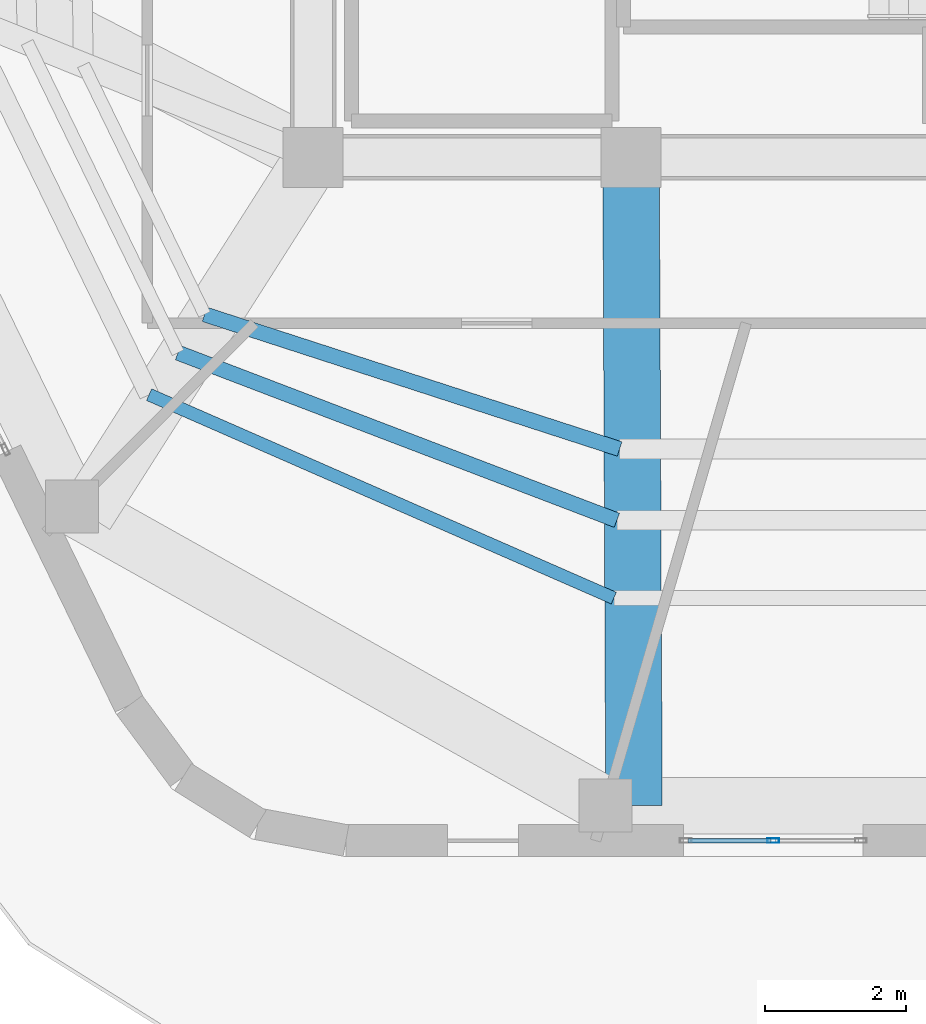
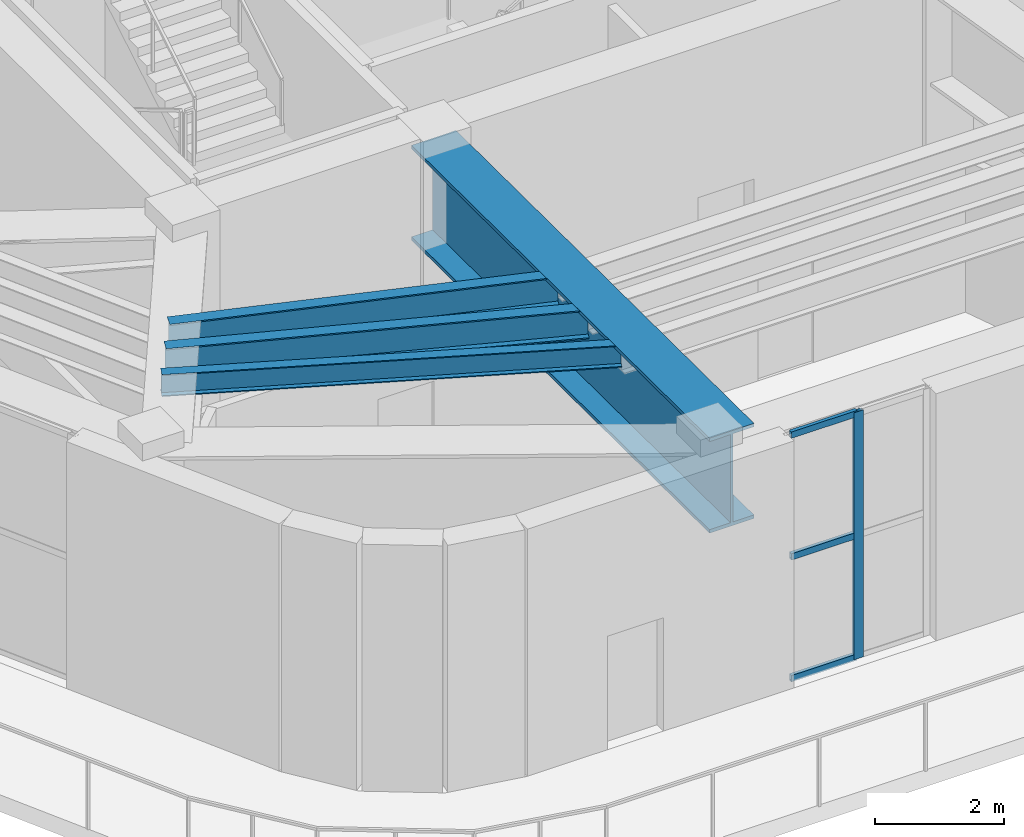
# One storey, part 3 of 24: 4 beams, 4 members, 1 element without a shape of its own.
"""IFC4 building model written with IfcOpenShell, lengths in metres."""

from ifc_helpers import new_model, si_unit, direction, frame, origin, origin_2d, place, context, subcontext, project, spatial, hollow_rectangle, i_section, extrude, material, layer, layer_set, material_profile, profile_set, type_object, element, aggregate, save


model = new_model("IFC4")

# Units and contexts
model_context = context("Model", 3, precision=1e-05, world=origin(), true_north=direction((0.0, 1.0)))
body_context = subcontext(model_context, "Body", "Model", "MODEL_VIEW")
ifc_project = project(units=[si_unit("LENGTHUNIT", "METRE"), si_unit("AREAUNIT", "SQUARE_METRE"), si_unit("VOLUMEUNIT", "CUBIC_METRE"), si_unit("PLANEANGLEUNIT", "RADIAN"), si_unit("MASSUNIT", "GRAM", prefix="KILO")], contexts=[model_context])

# Site, building, storey
site_placement = place(None, origin())
site = spatial("IfcSite", under=ifc_project, at=site_placement, CompositionType="ELEMENT")
building_placement = place(site_placement, origin())
building = spatial("IfcBuilding", under=site, at=building_placement, Name="Kilnhurst Terrace Hotel", CompositionType="ELEMENT")
storey_placement = place(building_placement, frame((0.0, 0.0, 305.39990234375)))
storey = spatial("IfcBuildingStorey", under=building, at=storey_placement, Name="L76", CompositionType="ELEMENT", Elevation=305.39990234375)

# Beams
ifc_material_1 = material(Name="Steel ASTM A992 Grade 50", Category="steel")
ifc_material_profile_1 = material_profile(ifc_material_1, i_section(OverallWidth=0.180908203125, OverallDepth=0.417236328125, WebThickness=0.010986328125, FlangeThickness=0.018310546875, at=origin_2d()), Name="W16X57")
ifc_profile_set_1 = profile_set([ifc_material_profile_1], Name="Steel ASTM A992 Grade 50")
beam_type_1 = type_object("IfcBeamType", Name="JST-STL-W16X57", PredefinedType="JOIST", material=ifc_profile_set_1)
beam_1_placement = place(storey_placement, frame((-11.32421875, -10.861083984375, 4.47119140625), z_axis=(0.916026239746, -0.401118346746, 0.0), x_axis=(0.401118346746, 0.916026239746, 0.0)))
element("IfcBeam", 1, at=beam_1_placement, inside=storey, type_object=beam_type_1, Name="L76 Secondary Floor Steel Joist OUT.12", PredefinedType="JOIST", context=body_context, shape_type="SweptSolid", body=[
    extrude(i_section(OverallWidth=0.180908203125, OverallDepth=0.417236328125, WebThickness=0.010986328125, FlangeThickness=0.018310546875, at=origin_2d()), origin(), (0.0, 0.0, 1.0), 7.183349609375),
])
ifc_material_profile_2 = material_profile(ifc_material_1, i_section(OverallWidth=0.2138671875, OverallDepth=0.549072265625, WebThickness=0.0146484375, FlangeThickness=0.023681640625, at=origin_2d()), Name="W21X93")
ifc_profile_set_2 = profile_set([ifc_material_profile_2], Name="Steel ASTM A992 Grade 50")
beam_type_2 = type_object("IfcBeamType", Name="JST-STL-W21X93", PredefinedType="JOIST", material=ifc_profile_set_2)
beam_2_placement = place(storey_placement, frame((-10.5380859375, -9.724365234375, 4.405029296875), z_axis=(0.951182065755, -0.308630325448, 0.0), x_axis=(0.308630325448, 0.951182065755, 0.0)))
element("IfcBeam", 2, at=beam_2_placement, inside=storey, type_object=beam_type_2, Name="L76 Secondary Floor Steel Joist IN.12", PredefinedType="JOIST", context=body_context, shape_type="SweptSolid", body=[
    extrude(i_section(OverallWidth=0.2138671875, OverallDepth=0.549072265625, WebThickness=0.0146484375, FlangeThickness=0.023681640625, at=origin_2d()), origin(), (0.0, 0.0, 1.0), 6.177978515625),
])
beam_3_placement = place(storey_placement, frame((-10.9140625, -10.26806640625, 4.405029296875), z_axis=(0.93419258405, -0.356769135305, 0.0), x_axis=(0.356769135305, 0.93419258405, 0.0)))
element("IfcBeam", 3, at=beam_3_placement, inside=storey, type_object=beam_type_2, Name="L76 Secondary Floor Steel Joist MID.12", PredefinedType="JOIST", context=body_context, shape_type="SweptSolid", body=[
    extrude(i_section(OverallWidth=0.2138671875, OverallDepth=0.549072265625, WebThickness=0.0146484375, FlangeThickness=0.023681640625, at=origin_2d()), origin(), (0.0, 0.0, 1.0), 6.65087890625),
])

# Curtain wall, members
ifc_material_2 = material(Name="Anodized Aluminium Alloy 6063-T6 and Low-E Glass", Category="aluminium")
ifc_layer = layer(ifc_material_2, 0.219970703125, Name="Anodized Aluminium Alloy 6063-T6 and Low-E Glass")
ifc_layer_set = layer_set([ifc_layer], Name="Anodized Aluminium Alloy 6063-T6 and Low-E Glass")
curtain_wall_type = type_object("IfcCurtainWallType", Name="CW-OBS-CROWN", PredefinedType="NOTDEFINED", material=ifc_layer_set)
curtain_wall_placement = place(storey_placement, origin())
curtain_wall = element("IfcCurtainWall", 4, at=curtain_wall_placement, inside=storey, type_object=curtain_wall_type, Name="L76 Curtain Wall CW-L76-F1-1", PredefinedType="NOTDEFINED")
ifc_material_3 = material(Name="Extruded Aluminium Alloy 6063-T6", Category="aluminium")
ifc_material_profile_3 = material_profile(ifc_material_3, hollow_rectangle(XDim=0.06494140625, YDim=0.1650390625, WallThickness=0.00341796875, at=origin_2d()), Name="CWM65X165")
ifc_profile_set_3 = profile_set([ifc_material_profile_3], Name="Extruded Aluminium Alloy 6063-T6")
member_type_1 = type_object("IfcMemberType", Name="MEM-CWM65X165", PredefinedType="MULLION", material=ifc_profile_set_3)
member_1_placement = place(storey_placement, frame((-2.48583984375, -17.175048828125, 0.0), z_axis=(0.0, 0.0, 1.0), x_axis=(0.0, 1.0, 0.0)))
member_1 = element("IfcMember", 5, at=member_1_placement, type_object=member_type_1, Name="CWO-6 mullion 2", PredefinedType="MULLION", context=body_context, shape_type="SweptSolid", body=[
    extrude(hollow_rectangle(XDim=0.06494140625, YDim=0.1650390625, WallThickness=0.00341796875, at=origin_2d()), origin(), (0.0, 0.0, 1.0), 4.68017578125),
])
ifc_material_profile_4 = material_profile(ifc_material_3, hollow_rectangle(XDim=0.06494140625, YDim=0.1201171875, WallThickness=0.00341796875, at=origin_2d()), Name="CWT65X120")
ifc_profile_set_4 = profile_set([ifc_material_profile_4], Name="Extruded Aluminium Alloy 6063-T6")
member_type_2 = type_object("IfcMemberType", Name="MEM-CWT65X120", PredefinedType="USERDEFINED", material=ifc_profile_set_4)
member_2_placement = place(storey_placement, frame((-3.69384765625, -17.175048828125, 0.03271484375), z_axis=(1.0, 0.0, 0.0), x_axis=(0.0, 1.0, 0.0)))
member_2 = element("IfcMember", 6, at=member_2_placement, type_object=member_type_2, Name="CWO-6 transom 1.1", ObjectType="TRANSOM", PredefinedType="USERDEFINED", context=body_context, shape_type="SweptSolid", body=[
    extrude(hollow_rectangle(XDim=0.06494140625, YDim=0.1201171875, WallThickness=0.00341796875, at=origin_2d()), origin(), (0.0, 0.0, 1.0), 1.175537109375),
])
member_3_placement = place(storey_placement, frame((-3.69384765625, -17.175048828125, 2.340087890625), z_axis=(1.0, 0.0, 0.0), x_axis=(0.0, 1.0, 0.0)))
member_3 = element("IfcMember", 7, at=member_3_placement, type_object=member_type_2, Name="CWO-6 transom 1.2", ObjectType="TRANSOM", PredefinedType="USERDEFINED", context=body_context, shape_type="SweptSolid", body=[
    extrude(hollow_rectangle(XDim=0.06494140625, YDim=0.1201171875, WallThickness=0.00341796875, at=origin_2d()), origin(), (0.0, 0.0, 1.0), 1.175537109375),
])
member_4_placement = place(storey_placement, frame((-3.69384765625, -17.175048828125, 4.647705078125), z_axis=(1.0, 0.0, 0.0), x_axis=(0.0, 1.0, 0.0)))
member_4 = element("IfcMember", 8, at=member_4_placement, type_object=member_type_2, Name="CWO-6 transom 1.3", ObjectType="TRANSOM", PredefinedType="USERDEFINED", context=body_context, shape_type="SweptSolid", body=[
    extrude(hollow_rectangle(XDim=0.06494140625, YDim=0.1201171875, WallThickness=0.00341796875, at=origin_2d()), origin(), (0.0, 0.0, 1.0), 1.175537109375),
])
aggregate(curtain_wall, [member_1, member_2, member_3, member_4])

# Beam
ifc_material_4 = material(Name="Steel ASTM A572 Grade 50", Category="steel")
ifc_material_profile_5 = material_profile(ifc_material_4, i_section(OverallWidth=0.800048828125, OverallDepth=1.800048828125, WebThickness=0.0400390625, FlangeThickness=0.06494140625, at=origin_2d()), Name="PG1800X800")
ifc_profile_set_5 = profile_set([ifc_material_profile_5], Name="Steel ASTM A572 Grade 50")
beam_type_3 = type_object("IfcBeamType", Name="TG-STEP-1800", PredefinedType="USERDEFINED", material=ifc_profile_set_5)
beam_4_placement = place(storey_placement, frame((-4.5, -7.5, 3.780029296875), z_axis=(0.004521110145, -0.999989779729, 0.0), x_axis=(0.999989779729, 0.004521110145, 0.0)))
element("IfcBeam", 9, at=beam_4_placement, inside=storey, type_object=beam_type_3, Name="L76 Zone Step Radial Transfer Girder 1", ObjectType="GIRDER", PredefinedType="USERDEFINED", context=body_context, shape_type="SweptSolid", body=[
    extrude(i_section(OverallWidth=0.800048828125, OverallDepth=1.800048828125, WebThickness=0.0400390625, FlangeThickness=0.06494140625, at=origin_2d()), origin(), (0.0, 0.0, 1.0), 9.179931640625),
])

save(model, "model.ifc")
